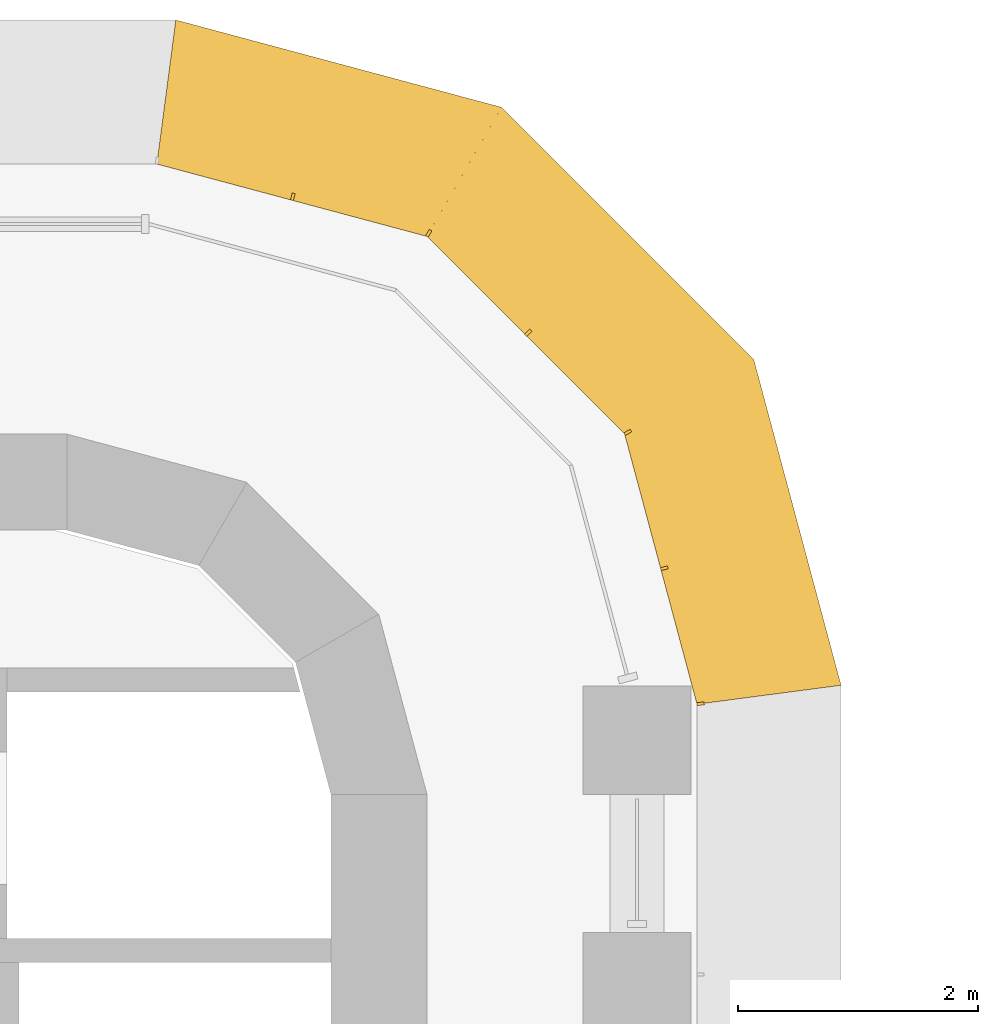
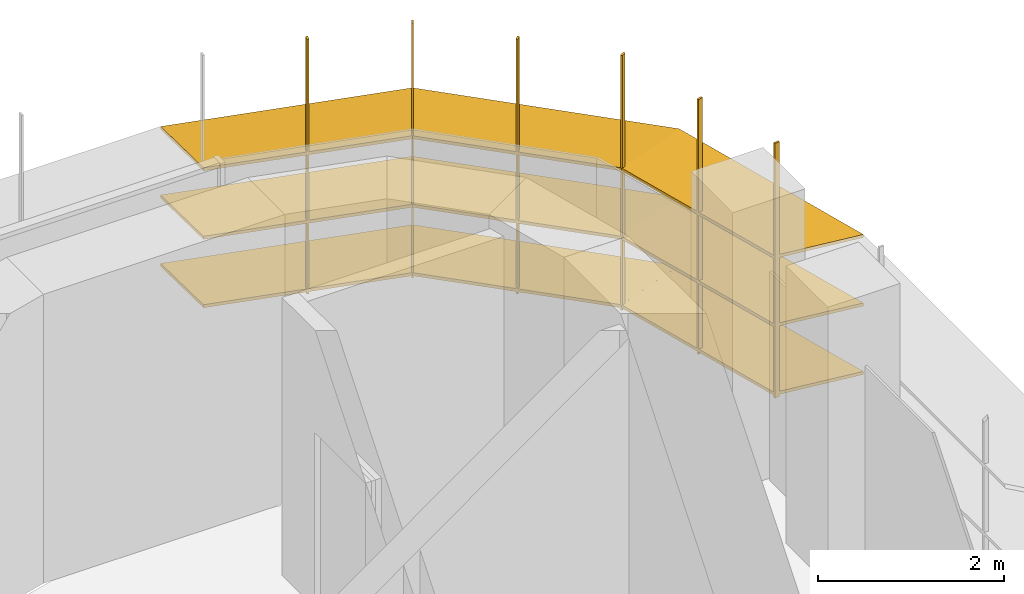
# One storey, part 22 of 22: 1 shading device.
"""IFC4 building model written with IfcOpenShell, lengths in metres."""

from ifc_helpers import new_model, si_unit, direction, frame, origin, place, context, subcontext, project, spatial, polyline, outline, extrude, faceted_brep, source, transform, mapped, material, type_object, element, save


model = new_model("IFC4")

# Units and contexts
model_context = context("Model", 3, precision=1e-05, world=origin(), true_north=direction((0.0, 1.0)))
body_context = subcontext(model_context, "Body", "Model", "MODEL_VIEW")
ifc_project = project(units=[si_unit("LENGTHUNIT", "METRE"), si_unit("AREAUNIT", "SQUARE_METRE"), si_unit("VOLUMEUNIT", "CUBIC_METRE"), si_unit("PLANEANGLEUNIT", "RADIAN"), si_unit("MASSUNIT", "GRAM", prefix="KILO")], contexts=[model_context])

# Site, building, storey
site_placement = place(None, origin())
site = spatial("IfcSite", under=ifc_project, at=site_placement, CompositionType="ELEMENT")
building_placement = place(site_placement, origin())
building = spatial("IfcBuilding", under=site, at=building_placement, Name="Zarbagh Exchange Tower", CompositionType="ELEMENT")
storey_placement = place(building_placement, frame((0.0, 0.0, 98.0)))
storey = spatial("IfcBuildingStorey", under=building, at=storey_placement, Name="L22", CompositionType="ELEMENT", Elevation=98.0)

# Shading device
ifc_material = material(Name="Anodised aluminium blades and brackets", Category="aluminium")
shading_device_type = type_object("IfcShadingDeviceType", Name="SUNSHADE louvre band, 11.25 degree blades", PredefinedType="JALOUSIE", material=ifc_material)
shared_shape_1 = source(origin(), body_context, "Body", "Brep", [
    faceted_brep([(0.0, 0.0, 0.0), (0.0, 0.0, -0.040771484375), (-0.157958984375, -1.199951171875, -0.279541015625), (-0.157958984375, -1.199951171875, -0.23876953125), (2.65087890625, -1.199951171875, -0.23876953125), (2.65087890625, -1.199951171875, -0.279541015625), (2.329345703125, 0.0, -0.040771484375), (2.329345703125, 0.0, 0.0)], [[[0, 1, 2, 3]], [[4, 5, 6, 7]], [[0, 7, 6, 1]], [[1, 6, 5, 2]], [[2, 5, 4, 3]], [[3, 4, 7, 0]]]),
])
shared_shape_2 = source(origin(), body_context, "Body", "Brep", [
    faceted_brep([(0.0, 0.0, 0.0), (0.0, 0.0, -0.040771484375), (-0.321533203125, -1.199951171875, -0.279541015625), (-0.321533203125, -1.199951171875, -0.23876953125), (2.65087890625, -1.199951171875, -0.23876953125), (2.65087890625, -1.199951171875, -0.279541015625), (2.329345703125, 0.0, -0.040771484375), (2.329345703125, 0.0, 0.0)], [[[0, 1, 2, 3]], [[4, 5, 6, 7]], [[0, 7, 6, 1]], [[1, 6, 5, 2]], [[2, 5, 4, 3]], [[3, 4, 7, 0]]]),
])
shared_shape_3 = source(origin(), body_context, "Body", "Brep", [
    faceted_brep([(0.0, 0.0, 0.0), (0.0, 0.0, -0.040771484375), (-0.321533203125, -1.199951171875, -0.279541015625), (-0.321533203125, -1.199951171875, -0.23876953125), (2.4873046875, -1.199951171875, -0.23876953125), (2.4873046875, -1.199951171875, -0.279541015625), (2.329345703125, 0.0, -0.040771484375), (2.329345703125, 0.0, 0.0)], [[[0, 1, 2, 3]], [[4, 5, 6, 7]], [[0, 7, 6, 1]], [[1, 6, 5, 2]], [[2, 5, 4, 3]], [[3, 4, 7, 0]]]),
])
shared_shape_4 = source(origin(), body_context, "Body", "SweptSolid", [
    extrude(outline(polyline([(0.0, -0.012451171875), (0.06005859375, -0.012451171875), (0.06005859375, 0.012451171875), (0.0, 0.012451171875), (0.0, -0.012451171875)])), origin(), (0.0, 0.0, 1.0), 3.350830078125),
])
shading_device_placement = place(storey_placement, origin())
element("IfcShadingDevice", 1, at=shading_device_placement, inside=storey, type_object=shading_device_type, Name="SS26 sunshade band", PredefinedType="JALOUSIE", context=body_context, shape_type="MappedRepresentation", body=[
    mapped(shared_shape_1, transform((6.75, 27.0, 2.300048828125), x_axis=(-0.258824779902, 0.965924289636, 0.0), y_axis=(-0.965924289636, -0.258824779902, 0.0), z_axis=(0.0, 0.0, 1.0))),
    mapped(shared_shape_1, transform((6.75, 27.0, 1.39990234375), x_axis=(-0.258824779902, 0.965924289636, 0.0), y_axis=(-0.965924289636, -0.258824779902, 0.0), z_axis=(0.0, 0.0, 1.0))),
    mapped(shared_shape_1, transform((6.75, 27.0, 0.5), x_axis=(-0.258824779902, 0.965924289636, 0.0), y_axis=(-0.965924289636, -0.258824779902, 0.0), z_axis=(0.0, 0.0, 1.0))),
    mapped(shared_shape_2, transform((6.147216796875, 29.25, 2.300048828125), x_axis=(-0.707106781187, 0.707106781187, 0.0), y_axis=(-0.707106781187, -0.707106781187, 0.0), z_axis=(0.0, 0.0, 1.0))),
    mapped(shared_shape_2, transform((6.147216796875, 29.25, 1.39990234375), x_axis=(-0.707106781187, 0.707106781187, 0.0), y_axis=(-0.707106781187, -0.707106781187, 0.0), z_axis=(0.0, 0.0, 1.0))),
    mapped(shared_shape_2, transform((6.147216796875, 29.25, 0.5), x_axis=(-0.707106781187, 0.707106781187, 0.0), y_axis=(-0.707106781187, -0.707106781187, 0.0), z_axis=(0.0, 0.0, 1.0))),
    mapped(shared_shape_3, transform((4.5, 30.897216796875, 2.300048828125), x_axis=(-0.965924289636, 0.258824779902, 0.0), y_axis=(-0.258824779902, -0.965924289636, 0.0), z_axis=(0.0, 0.0, 1.0))),
    mapped(shared_shape_3, transform((4.5, 30.897216796875, 1.39990234375), x_axis=(-0.965924289636, 0.258824779902, 0.0), y_axis=(-0.258824779902, -0.965924289636, 0.0), z_axis=(0.0, 0.0, 1.0))),
    mapped(shared_shape_3, transform((4.5, 30.897216796875, 0.5), x_axis=(-0.965924289636, 0.258824779902, 0.0), y_axis=(-0.258824779902, -0.965924289636, 0.0), z_axis=(0.0, 0.0, 1.0))),
    mapped(shared_shape_4, transform((6.75, 27.0, 0.42919921875), x_axis=(0.991444457092, 0.130529263012, 0.0), y_axis=(-0.130529263012, 0.991444457092, 0.0), z_axis=(0.0, 0.0, 1.0))),
    mapped(shared_shape_4, transform((6.448486328125, 28.125, 0.42919921875), x_axis=(0.96592421511, 0.258825058029, 0.0), y_axis=(-0.258825058029, 0.96592421511, 0.0), z_axis=(0.0, 0.0, 1.0))),
    mapped(shared_shape_4, transform((6.147216796875, 29.25, 0.42919921875), x_axis=(0.866023812018, 0.50000275701, 0.0), y_axis=(-0.50000275701, 0.866023812018, 0.0), z_axis=(0.0, 0.0, 1.0))),
    mapped(shared_shape_4, transform((5.323486328125, 30.073486328125, 0.42919921875), x_axis=(0.707106781187, 0.707106781187, 0.0), y_axis=(-0.707106781187, 0.707106781187, 0.0), z_axis=(0.0, 0.0, 1.0))),
    mapped(shared_shape_4, transform((4.5, 30.897216796875, 0.42919921875), x_axis=(0.50000275701, 0.866023812018, 0.0), y_axis=(-0.866023812018, 0.50000275701, 0.0), z_axis=(0.0, 0.0, 1.0))),
    mapped(shared_shape_4, transform((3.375, 31.198486328125, 0.42919921875), x_axis=(0.258825058029, 0.96592421511, 0.0), y_axis=(-0.96592421511, 0.258825058029, 0.0), z_axis=(0.0, 0.0, 1.0))),
])

save(model, "model.ifc")
